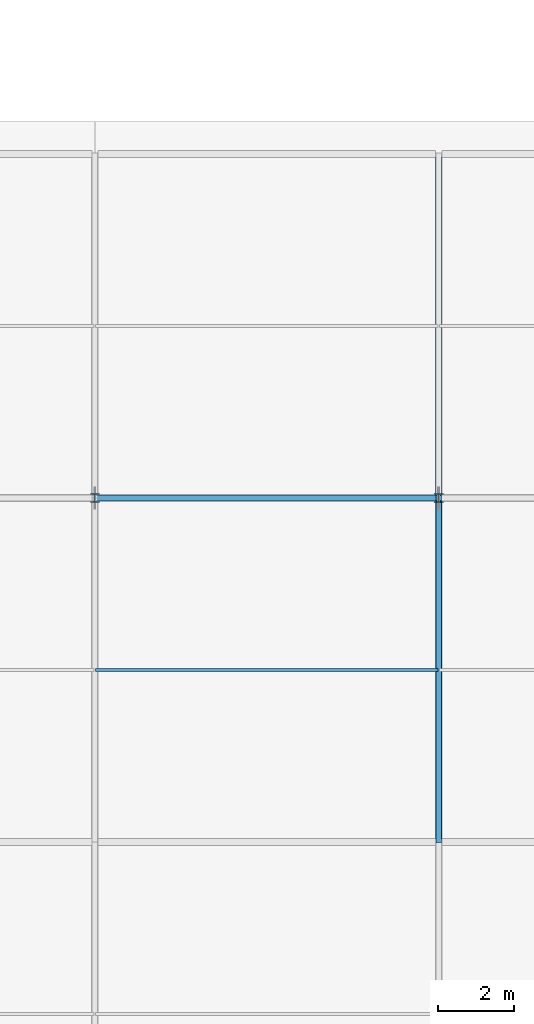
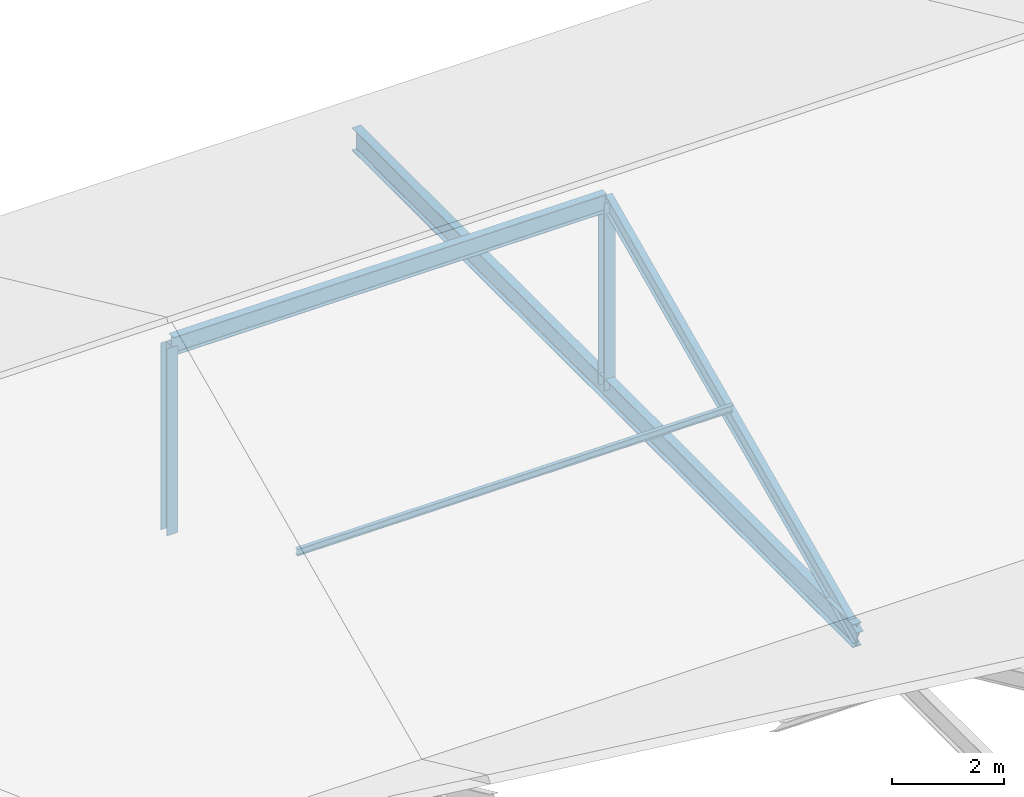
# One storey, part 84 of 163: 5 members, 1 beam.
"""IFC4 building model written with IfcOpenShell, lengths in metres."""

from ifc_helpers import new_model, si_unit, direction, frame, origin, origin_2d, place, context, subcontext, project, spatial, i_section, extrude, material, material_profile, profile_set, type_object, element, save


model = new_model("IFC4")

# Units and contexts
model_context = context("Model", 3, precision=1e-05, world=origin(), true_north=direction((0.0, 1.0)))
body_context = subcontext(model_context, "Body", "Model", "MODEL_VIEW")
ifc_project = project(units=[si_unit("LENGTHUNIT", "METRE"), si_unit("AREAUNIT", "SQUARE_METRE"), si_unit("VOLUMEUNIT", "CUBIC_METRE"), si_unit("PLANEANGLEUNIT", "RADIAN"), si_unit("MASSUNIT", "GRAM", prefix="KILO")], contexts=[model_context])

# Site, building, storey
site_placement = place(None, origin())
site = spatial("IfcSite", under=ifc_project, at=site_placement, CompositionType="ELEMENT")
building_placement = place(site_placement, origin())
building = spatial("IfcBuilding", under=site, at=building_placement, Name="Tharagai Park Tramway Depot", CompositionType="ELEMENT")
storey_placement = place(building_placement, frame((0.0, 0.0, 8.39990234375)))
storey = spatial("IfcBuildingStorey", under=building, at=storey_placement, Name="L02", CompositionType="ELEMENT", Elevation=8.39990234375)

# Beam
ifc_material_1 = material(Name="Steel E350", Category="steel")
ifc_material_profile_1 = material_profile(ifc_material_1, i_section(OverallWidth=0.179931640625, OverallDepth=0.5, WebThickness=0.01025390625, FlangeThickness=0.01708984375, FilletRadius=0.01708984375, at=origin_2d()), Name="ISMB 500")
ifc_profile_set_1 = profile_set([ifc_material_profile_1], Name="Steel E350")
beam_type = type_object("IfcBeamType", Name="BM-18", PredefinedType="BEAM", material=ifc_profile_set_1)
beam_placement = place(storey_placement, frame((189.0, 117.080078125, -0.5), z_axis=(0.0, 1.0, 0.0), x_axis=(-1.0, 0.0, 0.0)))
element("IfcBeam", 1, at=beam_placement, inside=storey, type_object=beam_type, Name="V3B2 Gable Tie Girder BM-18", PredefinedType="BEAM", context=body_context, shape_type="SweptSolid", body=[
    extrude(i_section(OverallWidth=0.179931640625, OverallDepth=0.5, WebThickness=0.01025390625, FlangeThickness=0.01708984375, FilletRadius=0.01708984375, at=origin_2d()), origin(), (0.0, 0.0, 1.0), 17.83984375),
])

# Members
ifc_material_profile_2 = material_profile(ifc_material_1, i_section(OverallWidth=0.22509765625, OverallDepth=0.22509765625, WebThickness=0.008544921875, FlangeThickness=0.009033203125, FilletRadius=0.010009765625, at=origin_2d()), Name="ISHB 225")
ifc_profile_set_2 = profile_set([ifc_material_profile_2], Name="Steel E350")
member_type_1 = type_object("IfcMemberType", Name="BR-02", PredefinedType="BRACE", material=ifc_profile_set_2)
for number, where, z_axis, x_axis, name in (
    (2, (180.0, 126.0, -0.5), (0.0, 0.0, 1.0), (1.0, 0.0, 0.0), "V3B2 Gable King Strut BR-02"),
    (3, (189.0, 126.0, -0.5), (0.0, 0.0, 1.0), (1.0, 0.0, 0.0), "V3B2 Gable King Strut BR-02"),
):
    element("IfcMember", number, at=place(storey_placement, frame(where, z_axis=z_axis, x_axis=x_axis)), inside=storey, type_object=member_type_1, Name=name, PredefinedType="BRACE", context=body_context, shape_type="SweptSolid", body=[
        extrude(i_section(OverallWidth=0.22509765625, OverallDepth=0.22509765625, WebThickness=0.008544921875, FlangeThickness=0.009033203125, FilletRadius=0.010009765625, at=origin_2d()), origin(), (0.0, 0.0, 1.0), 4.06982421875),
    ])
ifc_material_2 = material(Name="Steel E250", Category="steel")
ifc_material_profile_3 = material_profile(ifc_material_2, i_section(OverallWidth=0.080078125, OverallDepth=0.14990234375, WebThickness=0.0048828125, FlangeThickness=0.007568359375, FilletRadius=0.009033203125, at=origin_2d()), Name="ISMB 150")
ifc_profile_set_3 = profile_set([ifc_material_profile_3], Name="Steel E250")
member_type_2 = type_object("IfcMemberType", Name="PR-05", PredefinedType="PURLIN", material=ifc_profile_set_3)
member_1_placement = place(storey_placement, frame((180.02001953125, 121.5, 1.77392578125), z_axis=(1.0, 0.0, 0.0), x_axis=(0.0, 1.0, 0.0)))
element("IfcMember", 4, at=member_1_placement, inside=storey, type_object=member_type_2, Name="V3B2 Roof Purlin PR-05", PredefinedType="PURLIN", context=body_context, shape_type="SweptSolid", body=[
    extrude(i_section(OverallWidth=0.080078125, OverallDepth=0.14990234375, WebThickness=0.0048828125, FlangeThickness=0.007568359375, FilletRadius=0.009033203125, at=origin_2d()), origin(), (0.0, 0.0, 1.0), 8.9599609375),
])
ifc_material_profile_4 = material_profile(ifc_material_1, i_section(OverallWidth=0.139892578125, OverallDepth=0.35009765625, WebThickness=0.008056640625, FlangeThickness=0.01416015625, FilletRadius=0.013916015625, at=origin_2d()), Name="ISMB 350")
ifc_profile_set_4 = profile_set([ifc_material_profile_4], Name="Steel E350")
member_type_3 = type_object("IfcMemberType", Name="RF-01", PredefinedType="RAFTER", material=ifc_profile_set_4)
member_2_placement = place(storey_placement, frame((189.0, 117.050048828125, -0.53173828125), z_axis=(0.0, 0.909083998875, 0.416612869448), x_axis=(-1.0, 0.0, 0.0)))
element("IfcMember", 5, at=member_2_placement, inside=storey, type_object=member_type_3, Name="V3B2 Pitched Rafter RF-01 South", PredefinedType="RAFTER", context=body_context, shape_type="SweptSolid", body=[
    extrude(i_section(OverallWidth=0.139892578125, OverallDepth=0.35009765625, WebThickness=0.008056640625, FlangeThickness=0.01416015625, FilletRadius=0.013916015625, at=origin_2d()), origin(), (0.0, 0.0, 1.0), 9.844970703125),
])
ifc_material_profile_5 = material_profile(ifc_material_1, i_section(OverallWidth=0.1650390625, OverallDepth=0.39990234375, WebThickness=0.008056640625, FlangeThickness=0.012451171875, FilletRadius=0.013916015625, at=origin_2d()), Name="ISLB 400")
ifc_profile_set_5 = profile_set([ifc_material_profile_5], Name="Steel E350")
member_type_4 = type_object("IfcMemberType", Name="TC-04", PredefinedType="CHORD", material=ifc_profile_set_5)
member_3_placement = place(storey_placement, frame((180.0400390625, 126.0, 3.544921875), z_axis=(1.0, 0.0, 0.0), x_axis=(0.0, 1.0, 0.0)))
element("IfcMember", 6, at=member_3_placement, inside=storey, type_object=member_type_4, Name="V3B2 Roof Ridge Chord TC-04", PredefinedType="CHORD", context=body_context, shape_type="SweptSolid", body=[
    extrude(i_section(OverallWidth=0.1650390625, OverallDepth=0.39990234375, WebThickness=0.008056640625, FlangeThickness=0.012451171875, FilletRadius=0.013916015625, at=origin_2d()), origin(), (0.0, 0.0, 1.0), 8.919921875),
])

save(model, "model.ifc")
